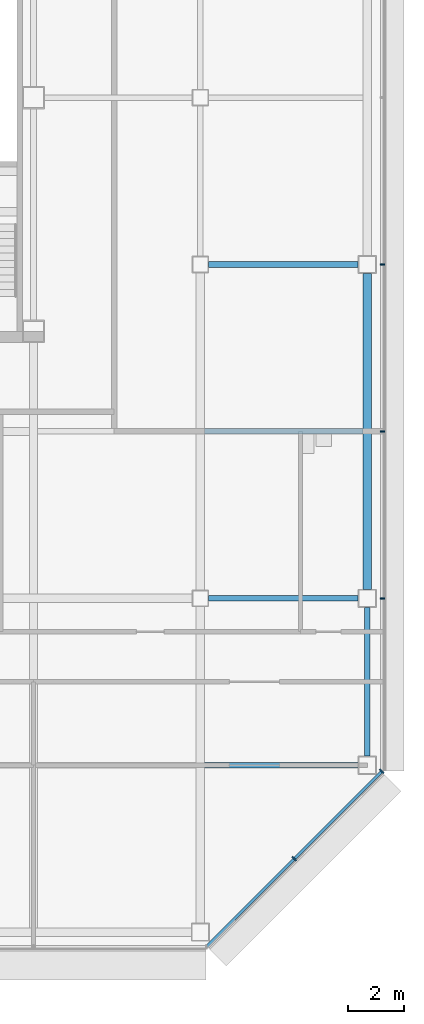
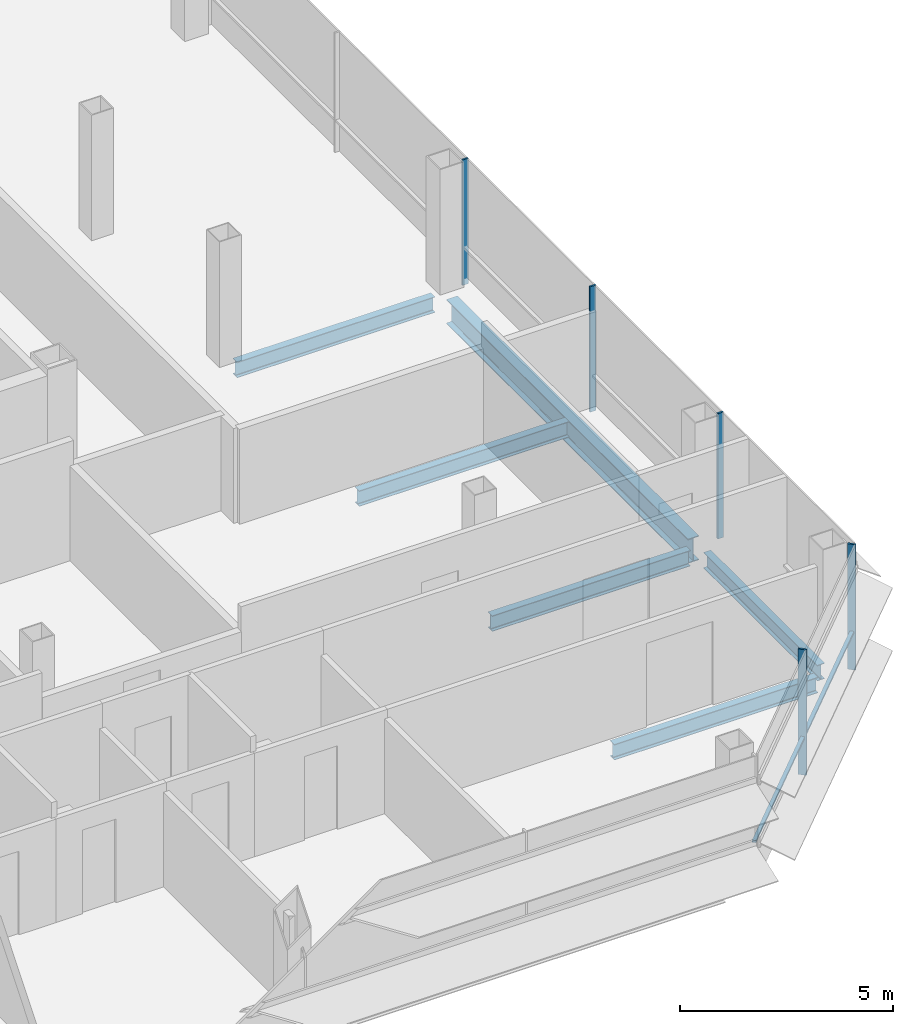
# One storey, part 16 of 26: 6 beams, 6 members, 2 elements without a shape of their own.
"""IFC4 building model written with IfcOpenShell, lengths in metres."""

from ifc_helpers import new_model, si_unit, direction, frame, origin, origin_2d, place, context, subcontext, project, spatial, rectangle, i_section, extrude, material, material_profile, profile_set, type_object, element, aggregate, save


model = new_model("IFC4")

# Units and contexts
model_context = context("Model", 3, precision=1e-05, world=origin(), true_north=direction((0.0, 1.0)))
body_context = subcontext(model_context, "Body", "Model", "MODEL_VIEW")
ifc_project = project(units=[si_unit("LENGTHUNIT", "METRE"), si_unit("AREAUNIT", "SQUARE_METRE"), si_unit("VOLUMEUNIT", "CUBIC_METRE"), si_unit("PLANEANGLEUNIT", "RADIAN"), si_unit("MASSUNIT", "GRAM", prefix="KILO")], contexts=[model_context])

# Site, building, storey
site_placement = place(None, origin())
site = spatial("IfcSite", under=ifc_project, at=site_placement, CompositionType="ELEMENT")
building_placement = place(site_placement, origin())
building = spatial("IfcBuilding", under=site, at=building_placement, Name="Sorahane Residences", CompositionType="ELEMENT")
storey_placement = place(building_placement, frame((0.0, 0.0, 243.199951171875)))
storey = spatial("IfcBuildingStorey", under=building, at=storey_placement, Name="L57", CompositionType="ELEMENT", Elevation=243.199951171875)

# Curtain wall, members
ifc_material_1 = material(Name="Dark low-e glass and black anodised aluminium", Category="aluminium")
curtain_wall_type_1 = type_object("IfcCurtainWallType", Name="Curtain wall CW-1 Typical unitised wall", PredefinedType="NOTDEFINED", material=ifc_material_1)
curtain_wall_1_placement = place(storey_placement, origin())
curtain_wall_1 = element("IfcCurtainWall", 1, at=curtain_wall_1_placement, inside=storey, type_object=curtain_wall_type_1, Name="CW-1 curtain wall L57 E1", PredefinedType="NOTDEFINED")
ifc_material_2 = material(Name="Black anodised aluminium", Category="aluminium")
ifc_material_profile_1 = material_profile(ifc_material_2, rectangle(XDim=0.159912109375, YDim=0.050048828125, at=origin_2d()), Name="Curtain wall mullion CW-1 black anodised aluminium 50x160")
ifc_profile_set_1 = profile_set([ifc_material_profile_1], Name="Black anodised aluminium")
member_type_1 = type_object("IfcMemberType", Name="Curtain wall mullion CW-1 black anodised aluminium 50x160", PredefinedType="MULLION", material=ifc_profile_set_1)
member_1_placement = place(storey_placement, frame((54.5400390625, 12.0, -0.179931640625), z_axis=(0.0, 0.0, 1.0), x_axis=(1.0, 0.0, 0.0)))
member_1 = element("IfcMember", 2, at=member_1_placement, type_object=member_type_1, Name="CW-1 mullion L57 E1.2", PredefinedType="MULLION", context=body_context, shape_type="SweptSolid", body=[
    extrude(rectangle(XDim=0.159912109375, YDim=0.050048828125, at=origin_2d()), origin(), (0.0, 0.0, 1.0), 3.60009765625),
])
member_2_placement = place(storey_placement, frame((54.5400390625, 18.0, -0.179931640625), z_axis=(0.0, 0.0, 1.0), x_axis=(1.0, 0.0, 0.0)))
member_2 = element("IfcMember", 3, at=member_2_placement, type_object=member_type_1, Name="CW-1 mullion L57 E1.3", PredefinedType="MULLION", context=body_context, shape_type="SweptSolid", body=[
    extrude(rectangle(XDim=0.159912109375, YDim=0.050048828125, at=origin_2d()), origin(), (0.0, 0.0, 1.0), 3.60009765625),
])
member_3_placement = place(storey_placement, frame((54.5400390625, 24.0, -0.179931640625), z_axis=(0.0, 0.0, 1.0), x_axis=(1.0, 0.0, 0.0)))
member_3 = element("IfcMember", 4, at=member_3_placement, type_object=member_type_1, Name="CW-1 mullion L57 E1.4", PredefinedType="MULLION", context=body_context, shape_type="SweptSolid", body=[
    extrude(rectangle(XDim=0.159912109375, YDim=0.050048828125, at=origin_2d()), origin(), (0.0, 0.0, 1.0), 3.60009765625),
])
aggregate(curtain_wall_1, [member_1, member_2, member_3])

ifc_material_3 = material(Name="Dark low-e glass and black anodised aluminium", Category="aluminium")
curtain_wall_type_2 = type_object("IfcCurtainWallType", Name="Curtain wall CW-2 Chamfer unitised wall", PredefinedType="NOTDEFINED", material=ifc_material_3)
curtain_wall_2_placement = place(storey_placement, origin())
curtain_wall_2 = element("IfcCurtainWall", 5, at=curtain_wall_2_placement, inside=storey, type_object=curtain_wall_type_2, Name="CW-2 curtain wall L57 SE1", PredefinedType="NOTDEFINED")
ifc_material_4 = material(Name="Black anodised aluminium", Category="aluminium")
ifc_material_profile_2 = material_profile(ifc_material_4, rectangle(XDim=0.199951171875, YDim=0.050048828125, at=origin_2d()), Name="Curtain wall mullion CW-2 black anodised aluminium 50x200")
ifc_profile_set_2 = profile_set([ifc_material_profile_2], Name="Black anodised aluminium")
member_type_2 = type_object("IfcMemberType", Name="Curtain wall mullion CW-2 black anodised aluminium 50x200", PredefinedType="MULLION", material=ifc_profile_set_2)
member_4_placement = place(storey_placement, frame((51.36767578125, 2.63232421875, -0.179931640625), z_axis=(0.0, 0.0, 1.0), x_axis=(0.707106781187, -0.707106781187, 0.0)))
member_4 = element("IfcMember", 6, at=member_4_placement, type_object=member_type_2, Name="CW-2 mullion L57 SE1.2", PredefinedType="MULLION", context=body_context, shape_type="SweptSolid", body=[
    extrude(rectangle(XDim=0.199951171875, YDim=0.050048828125, at=origin_2d()), origin(), (0.0, 0.0, 1.0), 3.60009765625),
])
member_5_placement = place(storey_placement, frame((54.525634765625, 5.790283203125, -0.179931640625), z_axis=(0.0, 0.0, 1.0), x_axis=(0.707106781187, -0.707106781187, 0.0)))
member_5 = element("IfcMember", 7, at=member_5_placement, type_object=member_type_2, Name="CW-2 mullion L57 SE1.3", PredefinedType="MULLION", context=body_context, shape_type="SweptSolid", body=[
    extrude(rectangle(XDim=0.199951171875, YDim=0.050048828125, at=origin_2d()), origin(), (0.0, 0.0, 1.0), 3.60009765625),
])
ifc_material_5 = material(Name="Black anodised aluminium", Category="aluminium")
ifc_material_profile_3 = material_profile(ifc_material_5, rectangle(XDim=0.10009765625, YDim=0.06005859375, at=origin_2d()), Name="Curtain wall transom CW-2 black anodised aluminium 60x100")
ifc_profile_set_3 = profile_set([ifc_material_profile_3], Name="Black anodised aluminium")
member_type_3 = type_object("IfcMemberType", Name="Curtain wall transom CW-2 black anodised aluminium 60x100", PredefinedType="USERDEFINED", material=ifc_profile_set_3)
member_6_placement = place(storey_placement, frame((48.234375, -0.51513671875, 0.900146484375), z_axis=(0.707106781187, 0.707106781187, 0.0), x_axis=(-0.707106781187, 0.707106781187, 0.0)))
member_6 = element("IfcMember", 8, at=member_6_placement, type_object=member_type_3, Name="CW-2 transom L57 SE1", ObjectType="TRANSOM", PredefinedType="USERDEFINED", context=body_context, shape_type="SweptSolid", body=[
    extrude(rectangle(XDim=0.10009765625, YDim=0.06005859375, at=origin_2d()), origin(), (0.0, 0.0, 1.0), 8.88232421875),
])
aggregate(curtain_wall_2, [member_4, member_5, member_6])

# Beams
ifc_material_6 = material(Name="Steel Q355B", Category="steel")
ifc_material_profile_4 = material_profile(ifc_material_6, i_section(OverallWidth=0.199951171875, OverallDepth=0.449951171875, WebThickness=0.009033203125, FlangeThickness=0.013916015625, FilletRadius=0.02001953125, at=origin_2d()), Name="HN 450x200x9x14")
ifc_profile_set_4 = profile_set([ifc_material_profile_4], Name="Steel Q355B")
beam_type_1 = type_object("IfcBeamType", Name="Steel floor beam HN 450x200x9x14 Q355B", PredefinedType="BEAM", material=ifc_profile_set_4)
for number, where, z_axis, x_axis, name in (
    (9, (48.300048828125, 12.0, -0.405029296875), (1.0, 0.0, 0.0), (0.0, 1.0, 0.0), "Beam L57 010"),
    (10, (48.300048828125, 24.0, -0.405029296875), (1.0, 0.0, 0.0), (0.0, 1.0, 0.0), "Beam L57 012"),
):
    element("IfcBeam", number, at=place(storey_placement, frame(where, z_axis=z_axis, x_axis=x_axis)), inside=storey, type_object=beam_type_1, Name=name, PredefinedType="BEAM", context=body_context, shape_type="SweptSolid", body=[
        extrude(i_section(OverallWidth=0.199951171875, OverallDepth=0.449951171875, WebThickness=0.009033203125, FlangeThickness=0.013916015625, FilletRadius=0.02001953125, at=origin_2d()), origin(), (0.0, 0.0, 1.0), 5.375),
    ])
beam_1_placement = place(storey_placement, frame((54.0, 6.324951171875, -0.405029296875), z_axis=(0.0, 1.0, 0.0), x_axis=(-1.0, 0.0, 0.0)))
element("IfcBeam", 11, at=beam_1_placement, inside=storey, type_object=beam_type_1, Name="Beam L57 064", PredefinedType="BEAM", context=body_context, shape_type="SweptSolid", body=[
    extrude(i_section(OverallWidth=0.199951171875, OverallDepth=0.449951171875, WebThickness=0.009033203125, FlangeThickness=0.013916015625, FilletRadius=0.02001953125, at=origin_2d()), origin(), (0.0, 0.0, 1.0), 5.35009765625),
])
beam_2_placement = place(storey_placement, frame((48.14990234375, 6.0, -0.405029296875), z_axis=(1.0, 0.0, 0.0), x_axis=(0.0, 1.0, 0.0)))
element("IfcBeam", 12, at=beam_2_placement, inside=storey, type_object=beam_type_1, Name="Beam L57 077", PredefinedType="BEAM", context=body_context, shape_type="SweptSolid", body=[
    extrude(i_section(OverallWidth=0.199951171875, OverallDepth=0.449951171875, WebThickness=0.009033203125, FlangeThickness=0.013916015625, FilletRadius=0.02001953125, at=origin_2d()), origin(), (0.0, 0.0, 1.0), 5.525146484375),
])
beam_3_placement = place(storey_placement, frame((48.14990234375, 18.0, -0.405029296875), z_axis=(1.0, 0.0, 0.0), x_axis=(0.0, 1.0, 0.0)))
element("IfcBeam", 13, at=beam_3_placement, inside=storey, type_object=beam_type_1, Name="Beam L57 084", PredefinedType="BEAM", context=body_context, shape_type="SweptSolid", body=[
    extrude(i_section(OverallWidth=0.199951171875, OverallDepth=0.449951171875, WebThickness=0.009033203125, FlangeThickness=0.013916015625, FilletRadius=0.02001953125, at=origin_2d()), origin(), (0.0, 0.0, 1.0), 5.7001953125),
])
ifc_material_7 = material(Name="Steel Q355B", Category="steel")
ifc_material_profile_5 = material_profile(ifc_material_7, i_section(OverallWidth=0.300048828125, OverallDepth=0.699951171875, WebThickness=0.012939453125, FlangeThickness=0.02392578125, FilletRadius=0.028076171875, at=origin_2d()), Name="HN 700x300x13x24")
ifc_profile_set_5 = profile_set([ifc_material_profile_5], Name="Steel Q355B")
beam_type_2 = type_object("IfcBeamType", Name="Steel floor beam HN 700x300x13x24 Q355B", PredefinedType="BEAM", material=ifc_profile_set_5)
beam_4_placement = place(storey_placement, frame((54.0, 12.324951171875, -0.530029296875), z_axis=(0.0, 1.0, 0.0), x_axis=(-1.0, 0.0, 0.0)))
element("IfcBeam", 14, at=beam_4_placement, inside=storey, type_object=beam_type_2, Name="Beam L57 065", PredefinedType="BEAM", context=body_context, shape_type="SweptSolid", body=[
    extrude(i_section(OverallWidth=0.300048828125, OverallDepth=0.699951171875, WebThickness=0.012939453125, FlangeThickness=0.02392578125, FilletRadius=0.028076171875, at=origin_2d()), origin(), (0.0, 0.0, 1.0), 11.35009765625),
])

save(model, "model.ifc")
